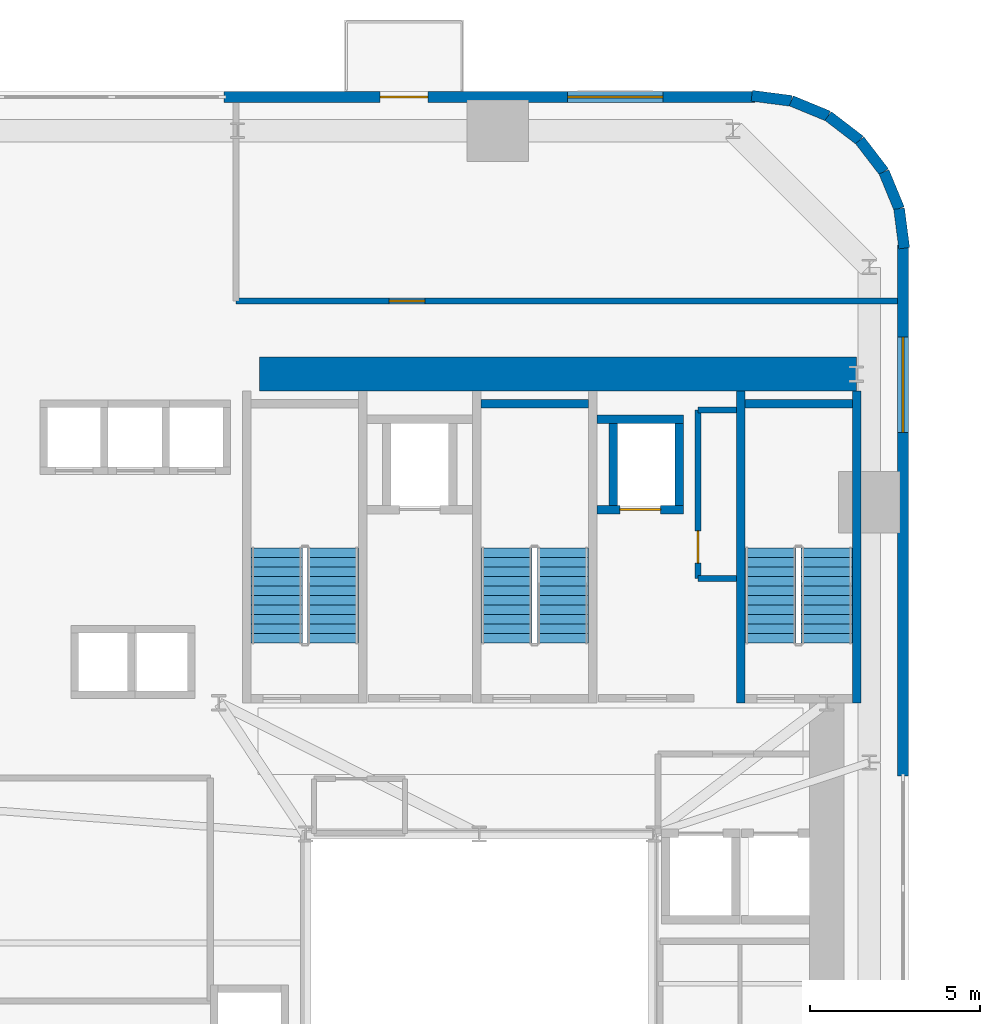
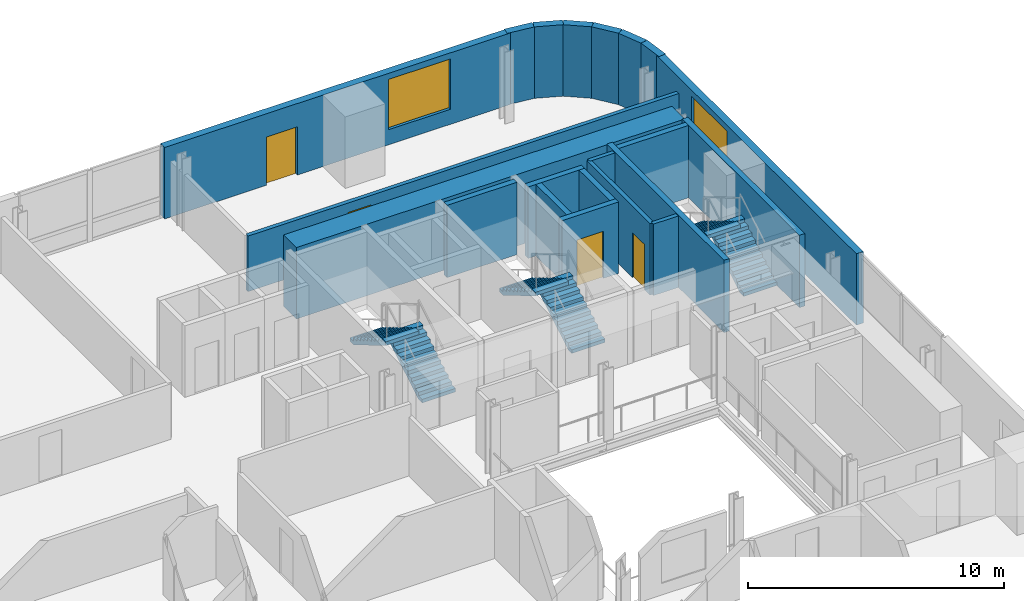
# One storey, part 9 of 11: 21 walls, 6 stair flights, 4 doors, 2 windows, 6 openings, 3 elements without a shape of their own.
"""IFC4 building model written with IfcOpenShell, lengths in metres."""

import ifcopenshell
import ifcopenshell.guid

model = None  # the IFC model being written
_history = None  # IfcOwnerHistory: only IFC2X3 demands one
_inside = {}  # id of a spatial element -> (the spatial element, [elements in it])
_under = {}  # id of a project, library or spatial element -> (it, [spatial elements below it])
_declared = {}  # id of a project -> (the project, [libraries it declares])
_typed = {}  # id of a type object -> (the type object, [elements of that type])
_made_of = {}  # id of a material, layer set ... -> (it, [elements and type objects made of it])


def new_model(schema):
    """Start an empty IFC model of exactly this schema.

    Asked for "IFC4X3", IfcOpenShell would pick the latest addendum, in which some entities
    have other attributes; the version numbers below select the first issue.
    IFC2X3 requires an IfcOwnerHistory on every rooted entity: one is made here for all.
    """
    global model, _history
    if schema == "IFC4X3":
        model = ifcopenshell.file(schema_version=(4, 3, 0, 0))
    else:
        model = ifcopenshell.file(schema=schema)
    _inside.clear()
    _under.clear()
    _declared.clear()
    _typed.clear()
    _made_of.clear()
    _history = None
    if model.schema == "IFC2X3":
        org = make("IfcOrganization", Name="unknown")
        user = make(
            "IfcPersonAndOrganization",
            ThePerson=make("IfcPerson", FamilyName="unknown"),
            TheOrganization=org,
        )
        app = make(
            "IfcApplication",
            ApplicationDeveloper=org,
            Version="unknown",
            ApplicationFullName="unknown",
            ApplicationIdentifier="unknown",
        )
        _history = make(
            "IfcOwnerHistory",
            OwningUser=user,
            OwningApplication=app,
            ChangeAction="ADDED",
            CreationDate=0,
        )
    return model


def make(cls, **values):
    """One entity of the class cls with the attributes given. An attribute that is None is left unset."""
    return model.create_entity(
        cls, **{name: value for name, value in values.items() if value is not None}
    )


def rooted(cls, **values):
    """An entity with a GlobalId (a new one), such as an element, a storey or a relation."""
    return make(cls, GlobalId=ifcopenshell.guid.new(), OwnerHistory=_history, **values)


def si_unit(unit_type, name, prefix=None):
    """IfcSIUnit, for example si_unit("LENGTHUNIT", "METRE", prefix="MILLI")."""
    return make("IfcSIUnit", UnitType=unit_type, Prefix=prefix, Name=name)


def assignment(units):
    """IfcUnitAssignment: the units of a project."""
    return None if units is None else make("IfcUnitAssignment", Units=units)


def point(xyz):
    """IfcCartesianPoint."""
    return None if xyz is None else make("IfcCartesianPoint", Coordinates=xyz)


def direction(xyz):
    """IfcDirection."""
    return None if xyz is None else make("IfcDirection", DirectionRatios=xyz)


def frame(location, z_axis=None, x_axis=None):
    """IfcAxis2Placement3D, a coordinate frame: its origin and axes. An axis left out is left unset."""
    return make(
        "IfcAxis2Placement3D",
        Location=point(location),
        Axis=direction(z_axis),
        RefDirection=direction(x_axis),
    )


def frame_2d(location, x_axis=None):
    """IfcAxis2Placement2D, a coordinate frame in the plane: its origin and x axis."""
    return make(
        "IfcAxis2Placement2D", Location=point(location), RefDirection=direction(x_axis)
    )


def origin():
    """The frame at (0, 0, 0) with its axes left unset."""
    return frame((0.0, 0.0, 0.0))


def place(relative_to, where):
    """IfcLocalPlacement: puts the frame where relative to a parent placement (None: the world)."""
    return make(
        "IfcLocalPlacement", PlacementRelTo=relative_to, RelativePlacement=where
    )


def context(
    kind, dimensions, precision=None, world=None, true_north=None, identifier=None
):
    """IfcGeometricRepresentationContext, for example the 3D "Model" context."""
    return make(
        "IfcGeometricRepresentationContext",
        ContextIdentifier=identifier,
        ContextType=kind,
        CoordinateSpaceDimension=dimensions,
        Precision=precision,
        WorldCoordinateSystem=world,
        TrueNorth=true_north,
    )


def subcontext(parent, identifier, kind, view, scale=None):
    """IfcGeometricRepresentationSubContext, for example "Body" below "Model"."""
    return make(
        "IfcGeometricRepresentationSubContext",
        ContextIdentifier=identifier,
        ContextType=kind,
        ParentContext=parent,
        TargetScale=scale,
        TargetView=view,
    )


def project(units=None, contexts=None):
    """IfcProject with its units and contexts."""
    return rooted(
        "IfcProject",
        Name="project",
        RepresentationContexts=contexts,
        UnitsInContext=assignment(units),
    )


def spatial(cls, under=None, at=None, **own):
    """A site, building, storey or space (cls), placed at a placement, below another one or the project."""
    s = rooted(cls, ObjectPlacement=at, **own)
    if under is not None:
        _under.setdefault(under.id(), (under, []))[1].append(s)
    return s


def polyline(points):
    """IfcPolyline through the points."""
    return make("IfcPolyline", Points=[point(p) for p in points])


def profile(cls, at=None, kind="AREA", **sizes):
    """A parametric profile (cls). Its sizes go by their IFC names, for example OverallWidth=200.0."""
    return make(cls, ProfileType=kind, Position=at, **sizes)


def rectangle(**sizes):
    """IfcRectangleProfileDef."""
    return profile("IfcRectangleProfileDef", **sizes)


def outline(outer, holes=None, kind="AREA"):
    """IfcArbitraryClosedProfileDef: a profile drawn as a closed curve; with holes, ...WithVoids."""
    if holes is None:
        return make("IfcArbitraryClosedProfileDef", ProfileType=kind, OuterCurve=outer)
    return make(
        "IfcArbitraryProfileDefWithVoids",
        ProfileType=kind,
        OuterCurve=outer,
        InnerCurves=holes,
    )


def extrude(swept, where, along, depth):
    """IfcExtrudedAreaSolid: the profile swept, set in the frame where, extruded along a direction by depth."""
    return make(
        "IfcExtrudedAreaSolid",
        SweptArea=swept,
        Position=where,
        ExtrudedDirection=direction(along),
        Depth=depth,
    )


def shape(context_of_items, identifier, shape_type, items):
    """IfcShapeRepresentation: the items that make up one representation, for example the "Body"."""
    return make(
        "IfcShapeRepresentation",
        ContextOfItems=context_of_items,
        RepresentationIdentifier=identifier,
        RepresentationType=shape_type,
        Items=items,
    )


def source(mapping_origin, context_of_items, identifier, shape_type, items):
    """IfcRepresentationMap: a shape defined once, which mapped items show again and again."""
    return make(
        "IfcRepresentationMap",
        MappingOrigin=mapping_origin,
        MappedRepresentation=shape(context_of_items, identifier, shape_type, items),
    )


def transform(
    local_origin,
    x_axis=None,
    y_axis=None,
    z_axis=None,
    scale=None,
    scale2=None,
    scale3=None,
    uniform=True,
):
    """IfcCartesianTransformationOperator3D, or its non-uniform kind. x_axis, y_axis, z_axis: its Axis1, 2, 3."""
    if uniform:
        return make(
            "IfcCartesianTransformationOperator3D",
            Axis1=direction(x_axis),
            Axis2=direction(y_axis),
            LocalOrigin=point(local_origin),
            Scale=scale,
            Axis3=direction(z_axis),
        )
    return make(
        "IfcCartesianTransformationOperator3DnonUniform",
        Axis1=direction(x_axis),
        Axis2=direction(y_axis),
        LocalOrigin=point(local_origin),
        Scale=scale,
        Axis3=direction(z_axis),
        Scale2=scale2,
        Scale3=scale3,
    )


def mapped(mapping_source, mapping_target):
    """IfcMappedItem: shows the shape of a source again, moved by a transform."""
    return make(
        "IfcMappedItem", MappingSource=mapping_source, MappingTarget=mapping_target
    )


def material(Name=None, Category=None):
    """IfcMaterial."""
    return make("IfcMaterial", Name=Name, Category=Category)


def layer(
    of_material, thickness, ventilated=None, Name=None, Category=None, Priority=None
):
    """IfcMaterialLayer: one layer of a wall or slab, of a material (None: an air gap)."""
    return make(
        "IfcMaterialLayer",
        Material=of_material,
        LayerThickness=thickness,
        IsVentilated=ventilated,
        Name=Name,
        Category=Category,
        Priority=Priority,
    )


def layer_set(layers, Name=None):
    """IfcMaterialLayerSet."""
    return make("IfcMaterialLayerSet", MaterialLayers=layers, LayerSetName=Name)


def made_of(thing, what):
    """Note that an element or type object is made of a material, layer set ...; save() writes the relation."""
    if what is not None:
        _made_of.setdefault(what.id(), (what, []))[1].append(thing)
    return thing


def type_object(cls, material=None, **own):
    """A type object (cls), such as IfcWallType, which elements share."""
    return made_of(rooted(cls, **own), material)


def element(
    cls,
    number,
    at=None,
    inside=None,
    cuts=None,
    type_object=None,
    material=None,
    context=None,
    identifier="Body",
    shape_type=None,
    held_by="IfcProductDefinitionShape",
    body=None,
    shapes=None,
    **own,
):
    """One element of the class cls, such as IfcWall. Its Tag is "e" and its number.

    at: its placement. inside: the storey or other place that contains it. cuts: it is an
    opening in that element (IfcRelVoidsElement). A single representation is given by context,
    identifier, shape_type and body (its items); several are given by shapes. held_by: the class
    of the entity that holds the representations. save() writes the other relations.
    """
    e = rooted(cls, Tag="e%d" % number, ObjectPlacement=at, **own)
    if body is not None:
        shapes = [shape(context, identifier, shape_type, body)]
    if shapes is not None:
        e.Representation = make(held_by, Representations=shapes)
    if inside is not None:
        _inside.setdefault(inside.id(), (inside, []))[1].append(e)
    if cuts is not None:
        rooted(
            "IfcRelVoidsElement", RelatingBuildingElement=cuts, RelatedOpeningElement=e
        )
    if type_object is not None:
        _typed.setdefault(type_object.id(), (type_object, []))[1].append(e)
    return made_of(e, material)


def fill(opening, filler):
    """IfcRelFillsElement: the door or window that sits in an opening."""
    return rooted(
        "IfcRelFillsElement",
        RelatingOpeningElement=opening,
        RelatedBuildingElement=filler,
    )


def aggregate(whole, parts):
    """IfcRelAggregates: a whole, such as a stair, and the parts it consists of."""
    return rooted("IfcRelAggregates", RelatingObject=whole, RelatedObjects=parts)


def save(model, path):
    """Write the relations noted so far, then the file.

    IfcRelAggregates (storeys below a building ...), IfcRelContainedInSpatialStructure (elements
    in a storey), IfcRelDefinesByType, IfcRelAssociatesMaterial and IfcRelDeclares: one each for
    every whole, place, type object, material and project.
    """
    for whole, parts in _under.values():
        aggregate(whole, parts)
    for where, things in _inside.values():
        rooted(
            "IfcRelContainedInSpatialStructure",
            RelatedElements=things,
            RelatingStructure=where,
        )
    for kind, things in _typed.values():
        rooted("IfcRelDefinesByType", RelatedObjects=things, RelatingType=kind)
    for what, things in _made_of.values():
        rooted("IfcRelAssociatesMaterial", RelatedObjects=things, RelatingMaterial=what)
    for by, libraries in _declared.values():
        rooted("IfcRelDeclares", RelatingContext=by, RelatedDefinitions=libraries)
    model.write(path)


model = new_model("IFC4")

# Units and contexts
model_context = context("Model", 3, precision=1e-05, world=origin(), true_north=direction((0.0, 1.0)))
body_context = subcontext(model_context, "Body", "Model", "MODEL_VIEW")
ifc_project = project(units=[si_unit("LENGTHUNIT", "METRE"), si_unit("AREAUNIT", "SQUARE_METRE"), si_unit("VOLUMEUNIT", "CUBIC_METRE"), si_unit("PLANEANGLEUNIT", "RADIAN"), si_unit("MASSUNIT", "GRAM", prefix="KILO")], contexts=[model_context])

# Site, building, storey
site_placement = place(None, origin())
site = spatial("IfcSite", under=ifc_project, at=site_placement, CompositionType="ELEMENT")
building_placement = place(site_placement, origin())
building = spatial("IfcBuilding", under=site, at=building_placement, Name="Vardaveli Station Tower", CompositionType="ELEMENT")
storey_placement = place(building_placement, frame((0.0, 0.0, 42.199951171875)))
storey = spatial("IfcBuildingStorey", under=building, at=storey_placement, Name="L10", CompositionType="ELEMENT", Elevation=42.199951171875)

# Wall
ifc_material_1 = material(Name="Concrete C60/75", Category="concrete")
ifc_layer_1 = layer(ifc_material_1, 1.0, Name="Concrete C60/75")
ifc_layer_set_1 = layer_set([ifc_layer_1], Name="Concrete C60/75")
wall_type_1 = type_object("IfcWallType", Name="WAL-CORE-1000", PredefinedType="SHEAR", material=ifc_layer_set_1)
shared_shape_1 = source(origin(), body_context, "Body", "SweptSolid", [
    extrude(rectangle(XDim=17.52001953125, YDim=1.0, at=frame_2d((8.760009765625, 0.0))), origin(), (0.0, 0.0, 1.0), 3.41015625),
])
wall_1_placement = place(storey_placement, frame((29.85009765625, 40.300048828125, 0.0), z_axis=(0.0, 0.0, 1.0), x_axis=(1.0, 0.0, 0.0)))
element("IfcWall", 1, at=wall_1_placement, inside=storey, type_object=wall_type_1, Name="SW-L10-NORTH", PredefinedType="SHEAR", context=body_context, shape_type="MappedRepresentation", body=[
    mapped(shared_shape_1, transform((0.0, 0.0, 0.0), scale=1.0)),
])

# Wall, openings, door, window
ifc_material_2 = material(Name="Precast concrete C45/55", Category="concrete")
ifc_layer_2 = layer(ifc_material_2, 0.320068359375, Name="Precast concrete C45/55")
ifc_layer_set_2 = layer_set([ifc_layer_2], Name="Precast concrete C45/55")
wall_type_2 = type_object("IfcWallType", Name="WAL-EXT-STONE-320", PredefinedType="SOLIDWALL", material=ifc_layer_set_2)
shared_shape_2 = source(origin(), body_context, "Body", "SweptSolid", [
    extrude(rectangle(XDim=15.599853515625, YDim=0.320068359375, at=frame_2d((7.7998046875, 0.0))), origin(), (0.0, 0.0, 1.0), 3.41015625),
])
wall_2_placement = place(storey_placement, frame((44.39990234375, 48.43994140625, 0.0), z_axis=(0.0, 0.0, 1.0), x_axis=(-1.0, 0.0, 0.0)))
wall_2 = element("IfcWall", 2, at=wall_2_placement, inside=storey, type_object=wall_type_2, Name="EW-L10-N1", PredefinedType="SOLIDWALL", context=body_context, shape_type="MappedRepresentation", body=[
    mapped(shared_shape_2, transform((0.0, 0.0, 0.0), scale=1.0)),
])
shared_shape_3 = source(origin(), body_context, "Body", "SweptSolid", [
    extrude(rectangle(XDim=1.39990234375, YDim=2.300048828125, at=frame_2d((0.699951171875, 1.14990234375))), frame((0.0, 0.169921875, 0.0), z_axis=(0.0, -1.0, 0.0), x_axis=(1.0, 0.0, 0.0)), (0.0, 0.0, 1.0), 0.340087890625),
])
opening_1_placement = place(wall_2_placement, frame((9.6103515625, 0.0, 0.0)))
opening_1 = element("IfcOpeningElement", 3, at=opening_1_placement, cuts=wall_2, Name="Opening D-09", PredefinedType="OPENING", context=body_context, shape_type="MappedRepresentation", body=[
    mapped(shared_shape_3, transform((0.0, 0.0, 0.0), scale=1.0)),
])
shared_shape_4 = source(origin(), body_context, "Body", "SweptSolid", [
    extrude(rectangle(XDim=2.800048828125, YDim=2.39990234375, at=frame_2d((1.39990234375, 1.199951171875))), frame((0.0, 0.169921875, 0.0), z_axis=(0.0, -1.0, 0.0), x_axis=(1.0, 0.0, 0.0)), (0.0, 0.0, 1.0), 0.340087890625),
])
opening_2_placement = place(wall_2_placement, frame((2.705078125, 0.0, 0.719970703125)))
opening_2 = element("IfcOpeningElement", 4, at=opening_2_placement, cuts=wall_2, Name="Opening W-04", PredefinedType="OPENING", context=body_context, shape_type="MappedRepresentation", body=[
    mapped(shared_shape_4, transform((0.0, 0.0, 0.0), scale=1.0)),
])
ifc_material_3 = material(Name="Thermally broken aluminium glass", Category="aluminium")
door_type_1 = type_object("IfcDoorType", Name="DR-LOG-1400x2300", OperationType="DOUBLE_DOOR_SLIDING", PredefinedType="DOOR", material=ifc_material_3)
shared_shape_5 = source(origin(), body_context, "Body", "SweptSolid", [
    extrude(rectangle(XDim=1.39990234375, YDim=2.300048828125, at=frame_2d((0.699951171875, 1.14990234375))), frame((0.0, 0.02490234375, 0.0), z_axis=(0.0, -1.0, 0.0), x_axis=(1.0, 0.0, 0.0)), (0.0, 0.0, 1.0), 0.050048828125),
])
door_1_placement = place(opening_1_placement, frame((1.39990234375, 0.0, 0.0), z_axis=(0.0, 0.0, 1.0), x_axis=(-1.0, 0.0, 0.0)))
door_1 = element("IfcDoor", 5, at=door_1_placement, inside=storey, type_object=door_type_1, Name="DLG-L10-N", OperationType="DOUBLE_DOOR_SLIDING", OverallHeight=2.300048828125, OverallWidth=1.39990234375, PredefinedType="DOOR", context=body_context, shape_type="MappedRepresentation", body=[
    mapped(shared_shape_5, transform((0.0, 0.0, 0.0), scale=1.0)),
])
fill(opening_1, door_1)
ifc_material_4 = material(Name="Low-E solar-control glass", Category="glass")
window_type = type_object("IfcWindowType", Name="WIN-SUITE-2800x2400", PartitioningType="SINGLE_PANEL", PredefinedType="WINDOW", material=ifc_material_4)
shared_shape_6 = source(origin(), body_context, "Body", "SweptSolid", [
    extrude(rectangle(XDim=2.800048828125, YDim=2.39990234375, at=frame_2d((1.39990234375, 1.199951171875))), frame((0.0, 0.030029296875, 0.0), z_axis=(0.0, -1.0, 0.0), x_axis=(1.0, 0.0, 0.0)), (0.0, 0.0, 1.0), 0.06005859375),
])
window_1_placement = place(opening_2_placement, origin())
window_1 = element("IfcWindow", 6, at=window_1_placement, inside=storey, type_object=window_type, Name="WN-L10-N1", OverallHeight=2.39990234375, OverallWidth=2.800048828125, PartitioningType="SINGLE_PANEL", PredefinedType="WINDOW", context=body_context, shape_type="MappedRepresentation", body=[
    mapped(shared_shape_6, transform((0.0, 0.0, 0.0), scale=1.0)),
])
fill(opening_2, window_1)

# Wall, opening, window
shared_shape_7 = source(origin(), body_context, "Body", "SweptSolid", [
    extrude(rectangle(XDim=15.60009765625, YDim=0.320068359375, at=frame_2d((7.800048828125, 0.0))), origin(), (0.0, 0.0, 1.0), 3.41015625),
])
wall_3_placement = place(storey_placement, frame((48.739990234375, 28.5, 0.0), z_axis=(0.0, 0.0, 1.0), x_axis=(0.0, 1.0, 0.0)))
wall_3 = element("IfcWall", 7, at=wall_3_placement, inside=storey, type_object=wall_type_2, Name="EW-L10-E2", PredefinedType="SOLIDWALL", context=body_context, shape_type="MappedRepresentation", body=[
    mapped(shared_shape_7, transform((0.0, 0.0, 0.0), scale=1.0)),
])
opening_3_placement = place(wall_3_placement, frame((10.094970703125, 0.0, 0.719970703125)))
opening_3 = element("IfcOpeningElement", 8, at=opening_3_placement, cuts=wall_3, Name="Opening W-04", PredefinedType="OPENING", context=body_context, shape_type="MappedRepresentation", body=[
    mapped(shared_shape_4, transform((0.0, 0.0, 0.0), scale=1.0)),
])
window_2_placement = place(opening_3_placement, origin())
window_2 = element("IfcWindow", 9, at=window_2_placement, inside=storey, type_object=window_type, Name="WN-L10-E2", OverallHeight=2.39990234375, OverallWidth=2.800048828125, PartitioningType="SINGLE_PANEL", PredefinedType="WINDOW", context=body_context, shape_type="MappedRepresentation", body=[
    mapped(shared_shape_6, transform((0.0, 0.0, 0.0), scale=1.0)),
])
fill(opening_3, window_2)

# Walls
shared_shape_8 = source(origin(), body_context, "Body", "SweptSolid", [
    extrude(rectangle(XDim=1.1689453125, YDim=0.320068359375, at=frame_2d((0.58447265625, 0.0))), origin(), (0.0, 0.0, 1.0), 3.41015625),
])
wall_4_placement = place(storey_placement, frame((48.179931640625, 46.2412109375, 0.0), z_axis=(0.0, 0.0, 1.0), x_axis=(-0.608387696831, 0.793639975269, 0.0)))
element("IfcWall", 10, at=wall_4_placement, inside=storey, type_object=wall_type_2, Name="EW-L10-CR3-3", PredefinedType="SOLIDWALL", context=body_context, shape_type="MappedRepresentation", body=[
    mapped(shared_shape_8, transform((0.0, 0.0, 0.0), scale=1.0)),
])
shared_shape_9 = source(origin(), body_context, "Body", "SweptSolid", [
    extrude(rectangle(XDim=1.168701171875, YDim=0.320068359375, at=frame_2d((0.58447265625, 0.0))), origin(), (0.0, 0.0, 1.0), 3.41015625),
])
wall_5_placement = place(storey_placement, frame((47.46875, 47.1689453125, 0.0), z_axis=(0.0, 0.0, 1.0), x_axis=(-0.793663520347, 0.608356981114, 0.0)))
element("IfcWall", 11, at=wall_5_placement, inside=storey, type_object=wall_type_2, Name="EW-L10-CR3-4", PredefinedType="SOLIDWALL", context=body_context, shape_type="MappedRepresentation", body=[
    mapped(shared_shape_9, transform((0.0, 0.0, 0.0), scale=1.0)),
])
shared_shape_10 = source(origin(), body_context, "Body", "SweptSolid", [
    extrude(rectangle(XDim=1.17041015625, YDim=0.320068359375, at=frame_2d((0.585205078125, 0.0))), origin(), (0.0, 0.0, 1.0), 3.41015625),
])
for number, where, z_axis, x_axis, name in (
    (12, (48.775634765625, 43.99951171875, 0.0), (0.0, 0.0, 1.0), (-0.128295670475, 0.991735963317, 0.0), "EW-L10-CR3-1"),
    (13, (45.460205078125, 48.325439453125, 0.0), (0.0, 0.0, 1.0), (-0.991735963317, 0.128295670475, 0.0), "EW-L10-CR3-6"),
):
    element("IfcWall", number, at=place(storey_placement, frame(where, z_axis=z_axis, x_axis=x_axis)), inside=storey, type_object=wall_type_2, Name=name, PredefinedType="SOLIDWALL", context=body_context, shape_type="MappedRepresentation", body=[
        mapped(shared_shape_10, transform((0.0, 0.0, 0.0), scale=1.0)),
    ])
shared_shape_11 = source(origin(), body_context, "Body", "SweptSolid", [
    extrude(rectangle(XDim=1.169189453125, YDim=0.320068359375, at=frame_2d((0.58447265625, 0.0))), origin(), (0.0, 0.0, 1.0), 3.41015625),
])
for number, where, z_axis, x_axis, name in (
    (14, (48.62548828125, 45.16015625, 0.0), (0.0, 0.0, 1.0), (-0.381054331552, 0.924552646638, 0.0), "EW-L10-CR3-2"),
    (15, (46.541259765625, 47.8798828125, 0.0), (0.0, 0.0, 1.0), (-0.924552646638, 0.381054331552, 0.0), "EW-L10-CR3-5"),
):
    element("IfcWall", number, at=place(storey_placement, frame(where, z_axis=z_axis, x_axis=x_axis)), inside=storey, type_object=wall_type_2, Name=name, PredefinedType="SOLIDWALL", context=body_context, shape_type="MappedRepresentation", body=[
        mapped(shared_shape_11, transform((0.0, 0.0, 0.0), scale=1.0)),
    ])
ifc_material_5 = material(Name="Concrete C40/50", Category="concrete")
ifc_layer_3 = layer(ifc_material_5, 0.25, Name="Concrete C40/50")
ifc_layer_set_3 = layer_set([ifc_layer_3], Name="Concrete C40/50")
wall_type_3 = type_object("IfcWallType", Name="WAL-SHAFT-250", PredefinedType="SOLIDWALL", material=ifc_layer_set_3)
shared_shape_12 = source(origin(), body_context, "Body", "SweptSolid", [
    extrude(rectangle(XDim=9.150146484375, YDim=0.25, at=frame_2d((4.5751953125, 0.0))), origin(), (0.0, 0.0, 1.0), 3.449951171875),
])
for number, where, z_axis, x_axis, name in (
    (16, (43.97509765625, 30.64990234375, 0.0), (0.0, 0.0, 1.0), (0.0, 1.0, 0.0), "W-L10-ST-3W"),
    (17, (47.375, 30.64990234375, 0.0), (0.0, 0.0, 1.0), (0.0, 1.0, 0.0), "W-L10-ST-3E"),
):
    element("IfcWall", number, at=place(storey_placement, frame(where, z_axis=z_axis, x_axis=x_axis)), inside=storey, type_object=wall_type_3, Name=name, PredefinedType="SOLIDWALL", context=body_context, shape_type="MappedRepresentation", body=[
        mapped(shared_shape_12, transform((0.0, 0.0, 0.0), scale=1.0)),
    ])
shared_shape_13 = source(origin(), body_context, "Body", "SweptSolid", [
    extrude(rectangle(XDim=3.14990234375, YDim=0.25, at=frame_2d((1.574951171875, 0.0))), origin(), (0.0, 0.0, 1.0), 3.449951171875),
])
for number, where, z_axis, x_axis, name in (
    (18, (36.35009765625, 39.425048828125, 0.0), (0.0, 0.0, 1.0), (1.0, 0.0, 0.0), "W-L10-ST-2N"),
    (19, (44.10009765625, 39.425048828125, 0.0), (0.0, 0.0, 1.0), (1.0, 0.0, 0.0), "W-L10-ST-3N"),
):
    element("IfcWall", number, at=place(storey_placement, frame(where, z_axis=z_axis, x_axis=x_axis)), inside=storey, type_object=wall_type_3, Name=name, PredefinedType="SOLIDWALL", context=body_context, shape_type="MappedRepresentation", body=[
        mapped(shared_shape_13, transform((0.0, 0.0, 0.0), scale=1.0)),
    ])
shared_shape_14 = source(origin(), body_context, "Body", "SweptSolid", [
    extrude(rectangle(XDim=2.400146484375, YDim=0.25, at=frame_2d((1.2001953125, 0.0))), origin(), (0.0, 0.0, 1.0), 3.41015625),
])
for number, where, z_axis, x_axis, name in (
    (20, (40.22509765625, 36.449951171875, 0.0), (0.0, 0.0, 1.0), (0.0, 1.0, 0.0), "SHW-FFL-02-L10-W"),
    (21, (42.175048828125, 36.449951171875, 0.0), (0.0, 0.0, 1.0), (0.0, 1.0, 0.0), "SHW-FFL-02-L10-E"),
):
    element("IfcWall", number, at=place(storey_placement, frame(where, z_axis=z_axis, x_axis=x_axis)), inside=storey, type_object=wall_type_3, Name=name, PredefinedType="SOLIDWALL", context=body_context, shape_type="MappedRepresentation", body=[
        mapped(shared_shape_14, transform((0.0, 0.0, 0.0), scale=1.0)),
    ])

# Wall, opening, door
shared_shape_15 = source(origin(), body_context, "Body", "SweptSolid", [
    extrude(rectangle(XDim=2.550048828125, YDim=0.25, at=frame_2d((1.27490234375, 0.0))), origin(), (0.0, 0.0, 1.0), 3.41015625),
])
wall_6_placement = place(storey_placement, frame((39.75, 36.324951171875, 0.0), z_axis=(0.0, 0.0, 1.0), x_axis=(1.0, 0.0, 0.0)))
wall_6 = element("IfcWall", 22, at=wall_6_placement, inside=storey, type_object=wall_type_3, Name="SHW-FFL-02-L10-S", PredefinedType="SOLIDWALL", context=body_context, shape_type="MappedRepresentation", body=[
    mapped(shared_shape_15, transform((0.0, 0.0, 0.0), scale=1.0)),
])
shared_shape_16 = source(origin(), body_context, "Body", "SweptSolid", [
    extrude(rectangle(XDim=1.199951171875, YDim=2.25, at=frame_2d((0.60009765625, 1.125))), frame((0.0, 0.135009765625, 0.0), z_axis=(0.0, -1.0, 0.0), x_axis=(1.0, 0.0, 0.0)), (0.0, 0.0, 1.0), 0.27001953125),
])
opening_4_placement = place(wall_6_placement, frame((0.675048828125, 0.0, 0.0)))
opening_4 = element("IfcOpeningElement", 23, at=opening_4_placement, cuts=wall_6, Name="Opening LD-02", PredefinedType="OPENING", context=body_context, shape_type="MappedRepresentation", body=[
    mapped(shared_shape_16, transform((0.0, 0.0, 0.0), scale=1.0)),
])
ifc_material_6 = material(Name="Brushed stainless steel", Category="steel")
door_type_2 = type_object("IfcDoorType", Name="DR-LD-1200x2250", OperationType="DOUBLE_DOOR_SLIDING", PredefinedType="DOOR", material=ifc_material_6)
shared_shape_17 = source(origin(), body_context, "Body", "SweptSolid", [
    extrude(rectangle(XDim=1.199951171875, YDim=2.25, at=frame_2d((0.60009765625, 1.125))), frame((0.0, 0.02490234375, 0.0), z_axis=(0.0, -1.0, 0.0), x_axis=(1.0, 0.0, 0.0)), (0.0, 0.0, 1.0), 0.050048828125),
])
door_2_placement = place(opening_4_placement, origin())
door_2 = element("IfcDoor", 24, at=door_2_placement, inside=storey, type_object=door_type_2, Name="LD-FFL-02-L10", OperationType="DOUBLE_DOOR_SLIDING", OverallHeight=2.25, OverallWidth=1.199951171875, PredefinedType="DOOR", context=body_context, shape_type="MappedRepresentation", body=[
    mapped(shared_shape_17, transform((0.0, 0.0, 0.0), scale=1.0)),
])
fill(opening_4, door_2)

# Wall
wall_7_placement = place(storey_placement, frame((39.75, 38.97509765625, 0.0), z_axis=(0.0, 0.0, 1.0), x_axis=(1.0, 0.0, 0.0)))
element("IfcWall", 25, at=wall_7_placement, inside=storey, type_object=wall_type_3, Name="SHW-FFL-02-L10-N", PredefinedType="SOLIDWALL", context=body_context, shape_type="MappedRepresentation", body=[
    mapped(shared_shape_15, transform((0.0, 0.0, 0.0), scale=1.0)),
])

# Wall, opening, door
ifc_material_7 = material(Name="Fire-rated gypsum stud partition")
ifc_layer_4 = layer(ifc_material_7, 0.179931640625, Name="Fire-rated gypsum stud partition")
ifc_layer_set_4 = layer_set([ifc_layer_4], Name="Fire-rated gypsum stud partition")
wall_type_4 = type_object("IfcWallType", Name="WAL-CORR-180", PredefinedType="PARTITIONING", material=ifc_layer_set_4)
shared_shape_18 = source(origin(), body_context, "Body", "SweptSolid", [
    extrude(rectangle(XDim=19.427978515625, YDim=0.179931640625, at=frame_2d((9.7138671875, 0.0))), origin(), (0.0, 0.0, 1.0), 2.652099609375),
])
wall_8_placement = place(storey_placement, frame((29.14990234375, 42.449951171875, 0.0), z_axis=(0.0, 0.0, 1.0), x_axis=(1.0, 0.0, 0.0)))
wall_8 = element("IfcWall", 26, at=wall_8_placement, inside=storey, type_object=wall_type_4, Name="W-L10-NPS", PredefinedType="PARTITIONING", context=body_context, shape_type="MappedRepresentation", body=[
    mapped(shared_shape_18, transform((0.0, 0.0, 0.0), scale=1.0)),
])
shared_shape_19 = source(origin(), body_context, "Body", "SweptSolid", [
    extrude(rectangle(XDim=1.050048828125, YDim=2.199951171875, at=frame_2d((0.52490234375, 1.10009765625))), frame((0.0, 0.10009765625, 0.0), z_axis=(0.0, -1.0, 0.0), x_axis=(1.0, 0.0, 0.0)), (0.0, 0.0, 1.0), 0.199951171875),
])
opening_5_placement = place(wall_8_placement, frame((4.5, 0.0, 0.0)))
opening_5 = element("IfcOpeningElement", 27, at=opening_5_placement, cuts=wall_8, Name="Opening D-05", PredefinedType="OPENING", context=body_context, shape_type="MappedRepresentation", body=[
    mapped(shared_shape_19, transform((0.0, 0.0, 0.0), scale=1.0)),
])
ifc_material_8 = material(Name="Walnut veneer acoustic fire door")
door_type_3 = type_object("IfcDoorType", Name="DR-SUITE-1050x2200", OperationType="NOTDEFINED", PredefinedType="DOOR", material=ifc_material_8)
shared_shape_20 = source(origin(), body_context, "Body", "SweptSolid", [
    extrude(rectangle(XDim=1.050048828125, YDim=2.199951171875, at=frame_2d((0.52490234375, 1.10009765625))), frame((0.0, 0.02490234375, 0.0), z_axis=(0.0, -1.0, 0.0), x_axis=(1.0, 0.0, 0.0)), (0.0, 0.0, 1.0), 0.050048828125),
])
door_3_placement = place(opening_5_placement, origin())
door_3 = element("IfcDoor", 28, at=door_3_placement, inside=storey, type_object=door_type_3, Name="D-L10-NP1", OperationType="SINGLE_SWING_LEFT", OverallHeight=2.199951171875, OverallWidth=1.050048828125, PredefinedType="DOOR", context=body_context, shape_type="MappedRepresentation", body=[
    mapped(shared_shape_20, transform((0.0, 0.0, 0.0), scale=1.0)),
])
fill(opening_5, door_3)

shared_shape_21 = source(origin(), body_context, "Body", "SweptSolid", [
    extrude(rectangle(XDim=4.949951171875, YDim=0.179931640625, at=frame_2d((2.47509765625, 0.0))), origin(), (0.0, 0.0, 1.0), 3.41015625),
])
wall_9_placement = place(storey_placement, frame((42.719970703125, 34.300048828125, 0.0), z_axis=(0.0, 0.0, 1.0), x_axis=(0.0, 1.0, 0.0)))
wall_9 = element("IfcWall", 29, at=wall_9_placement, inside=storey, type_object=wall_type_4, Name="W-L10-CBS1-W", PredefinedType="PARTITIONING", context=body_context, shape_type="MappedRepresentation", body=[
    mapped(shared_shape_21, transform((0.0, 0.0, 0.0), scale=1.0)),
])
shared_shape_22 = source(origin(), body_context, "Body", "SweptSolid", [
    extrude(rectangle(XDim=0.949951171875, YDim=2.14990234375, at=frame_2d((0.47509765625, 1.074951171875))), frame((0.0, 0.10009765625, 0.0), z_axis=(0.0, -1.0, 0.0), x_axis=(1.0, 0.0, 0.0)), (0.0, 0.0, 1.0), 0.199951171875),
])
opening_6_placement = place(wall_9_placement, frame((0.449951171875, 0.0, 0.0)))
opening_6 = element("IfcOpeningElement", 30, at=opening_6_placement, cuts=wall_9, Name="Opening D-06", PredefinedType="OPENING", context=body_context, shape_type="MappedRepresentation", body=[
    mapped(shared_shape_22, transform((0.0, 0.0, 0.0), scale=1.0)),
])
ifc_material_9 = material(Name="Oak veneer acoustic fire door")
door_type_4 = type_object("IfcDoorType", Name="DR-GUEST-950x2150", OperationType="NOTDEFINED", PredefinedType="DOOR", material=ifc_material_9)
shared_shape_23 = source(origin(), body_context, "Body", "SweptSolid", [
    extrude(rectangle(XDim=0.949951171875, YDim=2.14990234375, at=frame_2d((0.47509765625, 1.074951171875))), frame((0.0, 0.02490234375, 0.0), z_axis=(0.0, -1.0, 0.0), x_axis=(1.0, 0.0, 0.0)), (0.0, 0.0, 1.0), 0.050048828125),
])
door_4_placement = place(opening_6_placement, origin())
door_4 = element("IfcDoor", 31, at=door_4_placement, inside=storey, type_object=door_type_4, Name="D-L10-HKP", OperationType="SINGLE_SWING_RIGHT", OverallHeight=2.14990234375, OverallWidth=0.949951171875, PredefinedType="DOOR", context=body_context, shape_type="MappedRepresentation", body=[
    mapped(shared_shape_23, transform((0.0, 0.0, 0.0), scale=1.0)),
])
fill(opening_6, door_4)

# Walls
shared_shape_24 = source(origin(), body_context, "Body", "SweptSolid", [
    extrude(rectangle(XDim=1.1279296875, YDim=0.179931640625, at=frame_2d((0.56396484375, 0.0))), origin(), (0.0, 0.0, 1.0), 3.41015625),
])
for number, where, z_axis, x_axis, name in (
    (32, (42.719970703125, 34.300048828125, 0.0), (0.0, 0.0, 1.0), (1.0, 0.0, 0.0), "W-L10-CBS1-S"),
    (33, (42.719970703125, 39.25, 0.0), (0.0, 0.0, 1.0), (1.0, 0.0, 0.0), "W-L10-CBS1-N"),
):
    element("IfcWall", number, at=place(storey_placement, frame(where, z_axis=z_axis, x_axis=x_axis)), inside=storey, type_object=wall_type_4, Name=name, PredefinedType="PARTITIONING", context=body_context, shape_type="MappedRepresentation", body=[
        mapped(shared_shape_24, transform((0.0, 0.0, 0.0), scale=1.0)),
    ])

# Stair, stair flights
stair_type = type_object("IfcStairType", Name="STR-CORE-1500", PredefinedType="HALF_TURN_STAIR", material=ifc_material_5)
stair_1_placement = place(storey_placement, origin())
stair_1 = element("IfcStair", 34, at=stair_1_placement, inside=storey, type_object=stair_type, Name="L10 ST-1", PredefinedType="HALF_TURN_STAIR")
stair_flight_type = type_object("IfcStairFlightType", Name="SFL-CORE-1500", PredefinedType="STRAIGHT", material=ifc_material_5)
shared_shape_25 = source(origin(), body_context, "Body", "SweptSolid", [
    extrude(outline(polyline([(0.0, 0.0), (0.0, 0.166015625), (0.280029296875, 0.166015625), (0.280029296875, 0.331787109375), (0.56005859375, 0.331787109375), (0.56005859375, 0.497802734375), (0.840087890625, 0.497802734375), (0.840087890625, 0.66357421875), (1.1201171875, 0.66357421875), (1.1201171875, 0.82958984375), (1.39990234375, 0.82958984375), (1.39990234375, 0.995361328125), (1.679931640625, 0.995361328125), (1.679931640625, 1.161376953125), (1.9599609375, 1.161376953125), (1.9599609375, 1.327392578125), (2.239990234375, 1.327392578125), (2.239990234375, 1.4931640625), (2.52001953125, 1.4931640625), (2.52001953125, 1.6591796875), (2.800048828125, 1.6591796875), (2.800048828125, 1.824951171875), (2.800048828125, 1.48486328125), (0.2939453125, 0.0), (0.0, 0.0)])), frame((0.0, 0.75, 0.0), z_axis=(0.0, -1.0, 0.0), x_axis=(1.0, 0.0, 0.0)), (0.0, 0.0, 1.0), 1.5),
])
stair_flight_1_placement = place(storey_placement, frame((32.0, 32.39990234375, 0.0), z_axis=(0.0, 0.0, 1.0), x_axis=(0.0, 1.0, 0.0)))
stair_flight_1 = element("IfcStairFlight", 35, at=stair_flight_1_placement, type_object=stair_flight_type, Name="ST-1 flight 1", NumberOfRisers=11, NumberOfTreads=10, PredefinedType="STRAIGHT", RiserHeight=0.165909091, TreadLength=0.28, context=body_context, shape_type="MappedRepresentation", body=[
    mapped(shared_shape_25, transform((0.0, 0.0, 0.0), scale=1.0)),
])
stair_flight_2_placement = place(storey_placement, frame((30.35009765625, 35.199951171875, 1.824951171875), z_axis=(0.0, 0.0, 1.0), x_axis=(0.0, -1.0, 0.0)))
stair_flight_2 = element("IfcStairFlight", 36, at=stair_flight_2_placement, type_object=stair_flight_type, Name="ST-1 flight 2", NumberOfRisers=11, NumberOfTreads=10, PredefinedType="STRAIGHT", RiserHeight=0.165909091, TreadLength=0.28, context=body_context, shape_type="MappedRepresentation", body=[
    mapped(shared_shape_25, transform((0.0, 0.0, 0.0), scale=1.0)),
])
aggregate(stair_1, [stair_flight_1, stair_flight_2])

stair_2_placement = place(storey_placement, origin())
stair_2 = element("IfcStair", 37, at=stair_2_placement, inside=storey, type_object=stair_type, Name="L10 ST-2", PredefinedType="HALF_TURN_STAIR")
stair_flight_3_placement = place(storey_placement, frame((38.75, 32.39990234375, 0.0), z_axis=(0.0, 0.0, 1.0), x_axis=(0.0, 1.0, 0.0)))
stair_flight_3 = element("IfcStairFlight", 38, at=stair_flight_3_placement, type_object=stair_flight_type, Name="ST-2 flight 1", NumberOfRisers=11, NumberOfTreads=10, PredefinedType="STRAIGHT", RiserHeight=0.165909091, TreadLength=0.28, context=body_context, shape_type="MappedRepresentation", body=[
    mapped(shared_shape_25, transform((0.0, 0.0, 0.0), scale=1.0)),
])
stair_flight_4_placement = place(storey_placement, frame((37.10009765625, 35.199951171875, 1.824951171875), z_axis=(0.0, 0.0, 1.0), x_axis=(0.0, -1.0, 0.0)))
stair_flight_4 = element("IfcStairFlight", 39, at=stair_flight_4_placement, type_object=stair_flight_type, Name="ST-2 flight 2", NumberOfRisers=11, NumberOfTreads=10, PredefinedType="STRAIGHT", RiserHeight=0.165909091, TreadLength=0.28, context=body_context, shape_type="MappedRepresentation", body=[
    mapped(shared_shape_25, transform((0.0, 0.0, 0.0), scale=1.0)),
])
aggregate(stair_2, [stair_flight_3, stair_flight_4])

stair_3_placement = place(storey_placement, origin())
stair_3 = element("IfcStair", 40, at=stair_3_placement, inside=storey, type_object=stair_type, Name="L10 ST-3", PredefinedType="HALF_TURN_STAIR")
stair_flight_5_placement = place(storey_placement, frame((46.5, 32.39990234375, 0.0), z_axis=(0.0, 0.0, 1.0), x_axis=(0.0, 1.0, 0.0)))
stair_flight_5 = element("IfcStairFlight", 41, at=stair_flight_5_placement, type_object=stair_flight_type, Name="ST-3 flight 1", NumberOfRisers=11, NumberOfTreads=10, PredefinedType="STRAIGHT", RiserHeight=0.165909091, TreadLength=0.28, context=body_context, shape_type="MappedRepresentation", body=[
    mapped(shared_shape_25, transform((0.0, 0.0, 0.0), scale=1.0)),
])
stair_flight_6_placement = place(storey_placement, frame((44.85009765625, 35.199951171875, 1.824951171875), z_axis=(0.0, 0.0, 1.0), x_axis=(0.0, -1.0, 0.0)))
stair_flight_6 = element("IfcStairFlight", 42, at=stair_flight_6_placement, type_object=stair_flight_type, Name="ST-3 flight 2", NumberOfRisers=11, NumberOfTreads=10, PredefinedType="STRAIGHT", RiserHeight=0.165909091, TreadLength=0.28, context=body_context, shape_type="MappedRepresentation", body=[
    mapped(shared_shape_25, transform((0.0, 0.0, 0.0), scale=1.0)),
])
aggregate(stair_3, [stair_flight_5, stair_flight_6])

save(model, "model.ifc")
